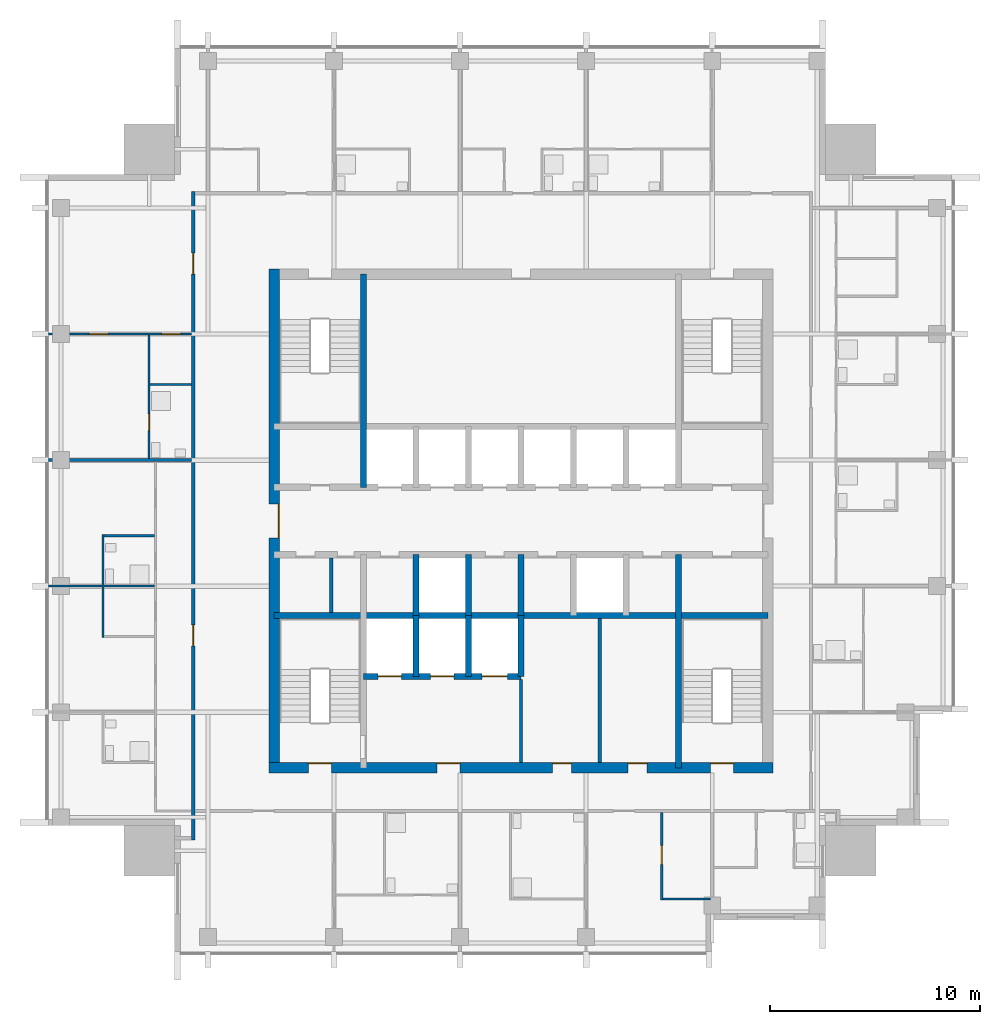
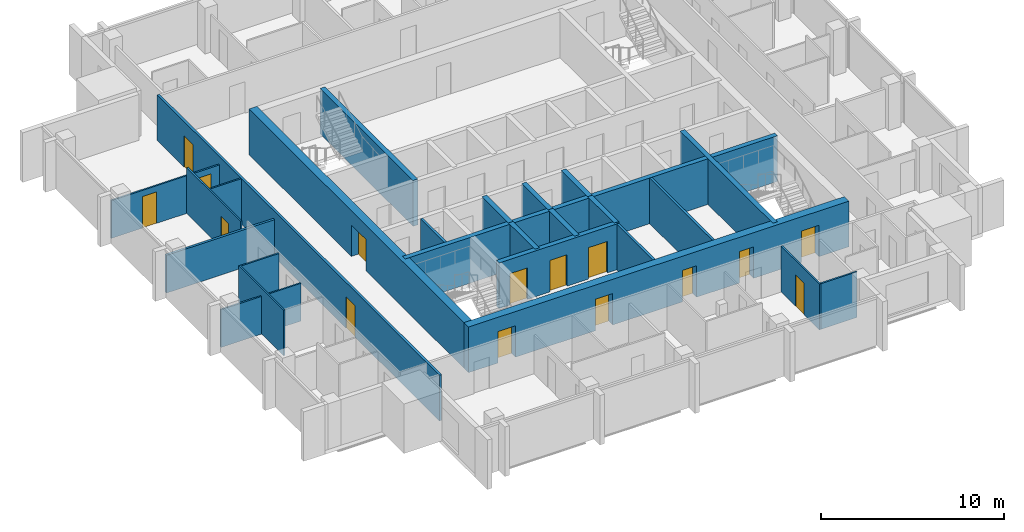
# One storey, part 4 of 9: 25 walls, 15 doors, 15 openings.
"""IFC4 building model written with IfcOpenShell, lengths in metres."""

import ifcopenshell
import ifcopenshell.guid

model = None  # the IFC model being written
_history = None  # IfcOwnerHistory: only IFC2X3 demands one
_inside = {}  # id of a spatial element -> (the spatial element, [elements in it])
_under = {}  # id of a project, library or spatial element -> (it, [spatial elements below it])
_declared = {}  # id of a project -> (the project, [libraries it declares])
_typed = {}  # id of a type object -> (the type object, [elements of that type])
_made_of = {}  # id of a material, layer set ... -> (it, [elements and type objects made of it])


def new_model(schema):
    """Start an empty IFC model of exactly this schema.

    Asked for "IFC4X3", IfcOpenShell would pick the latest addendum, in which some entities
    have other attributes; the version numbers below select the first issue.
    IFC2X3 requires an IfcOwnerHistory on every rooted entity: one is made here for all.
    """
    global model, _history
    if schema == "IFC4X3":
        model = ifcopenshell.file(schema_version=(4, 3, 0, 0))
    else:
        model = ifcopenshell.file(schema=schema)
    _inside.clear()
    _under.clear()
    _declared.clear()
    _typed.clear()
    _made_of.clear()
    _history = None
    if model.schema == "IFC2X3":
        org = make("IfcOrganization", Name="unknown")
        user = make(
            "IfcPersonAndOrganization",
            ThePerson=make("IfcPerson", FamilyName="unknown"),
            TheOrganization=org,
        )
        app = make(
            "IfcApplication",
            ApplicationDeveloper=org,
            Version="unknown",
            ApplicationFullName="unknown",
            ApplicationIdentifier="unknown",
        )
        _history = make(
            "IfcOwnerHistory",
            OwningUser=user,
            OwningApplication=app,
            ChangeAction="ADDED",
            CreationDate=0,
        )
    return model


def make(cls, **values):
    """One entity of the class cls with the attributes given. An attribute that is None is left unset."""
    return model.create_entity(
        cls, **{name: value for name, value in values.items() if value is not None}
    )


def rooted(cls, **values):
    """An entity with a GlobalId (a new one), such as an element, a storey or a relation."""
    return make(cls, GlobalId=ifcopenshell.guid.new(), OwnerHistory=_history, **values)


def si_unit(unit_type, name, prefix=None):
    """IfcSIUnit, for example si_unit("LENGTHUNIT", "METRE", prefix="MILLI")."""
    return make("IfcSIUnit", UnitType=unit_type, Prefix=prefix, Name=name)


def assignment(units):
    """IfcUnitAssignment: the units of a project."""
    return None if units is None else make("IfcUnitAssignment", Units=units)


def point(xyz):
    """IfcCartesianPoint."""
    return None if xyz is None else make("IfcCartesianPoint", Coordinates=xyz)


def direction(xyz):
    """IfcDirection."""
    return None if xyz is None else make("IfcDirection", DirectionRatios=xyz)


def frame(location, z_axis=None, x_axis=None):
    """IfcAxis2Placement3D, a coordinate frame: its origin and axes. An axis left out is left unset."""
    return make(
        "IfcAxis2Placement3D",
        Location=point(location),
        Axis=direction(z_axis),
        RefDirection=direction(x_axis),
    )


def frame_2d(location, x_axis=None):
    """IfcAxis2Placement2D, a coordinate frame in the plane: its origin and x axis."""
    return make(
        "IfcAxis2Placement2D", Location=point(location), RefDirection=direction(x_axis)
    )


def origin():
    """The frame at (0, 0, 0) with its axes left unset."""
    return frame((0.0, 0.0, 0.0))


def place(relative_to, where):
    """IfcLocalPlacement: puts the frame where relative to a parent placement (None: the world)."""
    return make(
        "IfcLocalPlacement", PlacementRelTo=relative_to, RelativePlacement=where
    )


def context(
    kind, dimensions, precision=None, world=None, true_north=None, identifier=None
):
    """IfcGeometricRepresentationContext, for example the 3D "Model" context."""
    return make(
        "IfcGeometricRepresentationContext",
        ContextIdentifier=identifier,
        ContextType=kind,
        CoordinateSpaceDimension=dimensions,
        Precision=precision,
        WorldCoordinateSystem=world,
        TrueNorth=true_north,
    )


def subcontext(parent, identifier, kind, view, scale=None):
    """IfcGeometricRepresentationSubContext, for example "Body" below "Model"."""
    return make(
        "IfcGeometricRepresentationSubContext",
        ContextIdentifier=identifier,
        ContextType=kind,
        ParentContext=parent,
        TargetScale=scale,
        TargetView=view,
    )


def project(units=None, contexts=None):
    """IfcProject with its units and contexts."""
    return rooted(
        "IfcProject",
        Name="project",
        RepresentationContexts=contexts,
        UnitsInContext=assignment(units),
    )


def spatial(cls, under=None, at=None, **own):
    """A site, building, storey or space (cls), placed at a placement, below another one or the project."""
    s = rooted(cls, ObjectPlacement=at, **own)
    if under is not None:
        _under.setdefault(under.id(), (under, []))[1].append(s)
    return s


def profile(cls, at=None, kind="AREA", **sizes):
    """A parametric profile (cls). Its sizes go by their IFC names, for example OverallWidth=200.0."""
    return make(cls, ProfileType=kind, Position=at, **sizes)


def rectangle(**sizes):
    """IfcRectangleProfileDef."""
    return profile("IfcRectangleProfileDef", **sizes)


def extrude(swept, where, along, depth):
    """IfcExtrudedAreaSolid: the profile swept, set in the frame where, extruded along a direction by depth."""
    return make(
        "IfcExtrudedAreaSolid",
        SweptArea=swept,
        Position=where,
        ExtrudedDirection=direction(along),
        Depth=depth,
    )


def shape(context_of_items, identifier, shape_type, items):
    """IfcShapeRepresentation: the items that make up one representation, for example the "Body"."""
    return make(
        "IfcShapeRepresentation",
        ContextOfItems=context_of_items,
        RepresentationIdentifier=identifier,
        RepresentationType=shape_type,
        Items=items,
    )


def material(Name=None, Category=None):
    """IfcMaterial."""
    return make("IfcMaterial", Name=Name, Category=Category)


def layer(
    of_material, thickness, ventilated=None, Name=None, Category=None, Priority=None
):
    """IfcMaterialLayer: one layer of a wall or slab, of a material (None: an air gap)."""
    return make(
        "IfcMaterialLayer",
        Material=of_material,
        LayerThickness=thickness,
        IsVentilated=ventilated,
        Name=Name,
        Category=Category,
        Priority=Priority,
    )


def layer_set(layers, Name=None):
    """IfcMaterialLayerSet."""
    return make("IfcMaterialLayerSet", MaterialLayers=layers, LayerSetName=Name)


def made_of(thing, what):
    """Note that an element or type object is made of a material, layer set ...; save() writes the relation."""
    if what is not None:
        _made_of.setdefault(what.id(), (what, []))[1].append(thing)
    return thing


def type_object(cls, material=None, **own):
    """A type object (cls), such as IfcWallType, which elements share."""
    return made_of(rooted(cls, **own), material)


def element(
    cls,
    number,
    at=None,
    inside=None,
    cuts=None,
    type_object=None,
    material=None,
    context=None,
    identifier="Body",
    shape_type=None,
    held_by="IfcProductDefinitionShape",
    body=None,
    shapes=None,
    **own,
):
    """One element of the class cls, such as IfcWall. Its Tag is "e" and its number.

    at: its placement. inside: the storey or other place that contains it. cuts: it is an
    opening in that element (IfcRelVoidsElement). A single representation is given by context,
    identifier, shape_type and body (its items); several are given by shapes. held_by: the class
    of the entity that holds the representations. save() writes the other relations.
    """
    e = rooted(cls, Tag="e%d" % number, ObjectPlacement=at, **own)
    if body is not None:
        shapes = [shape(context, identifier, shape_type, body)]
    if shapes is not None:
        e.Representation = make(held_by, Representations=shapes)
    if inside is not None:
        _inside.setdefault(inside.id(), (inside, []))[1].append(e)
    if cuts is not None:
        rooted(
            "IfcRelVoidsElement", RelatingBuildingElement=cuts, RelatedOpeningElement=e
        )
    if type_object is not None:
        _typed.setdefault(type_object.id(), (type_object, []))[1].append(e)
    return made_of(e, material)


def fill(opening, filler):
    """IfcRelFillsElement: the door or window that sits in an opening."""
    return rooted(
        "IfcRelFillsElement",
        RelatingOpeningElement=opening,
        RelatedBuildingElement=filler,
    )


def aggregate(whole, parts):
    """IfcRelAggregates: a whole, such as a stair, and the parts it consists of."""
    return rooted("IfcRelAggregates", RelatingObject=whole, RelatedObjects=parts)


def save(model, path):
    """Write the relations noted so far, then the file.

    IfcRelAggregates (storeys below a building ...), IfcRelContainedInSpatialStructure (elements
    in a storey), IfcRelDefinesByType, IfcRelAssociatesMaterial and IfcRelDeclares: one each for
    every whole, place, type object, material and project.
    """
    for whole, parts in _under.values():
        aggregate(whole, parts)
    for where, things in _inside.values():
        rooted(
            "IfcRelContainedInSpatialStructure",
            RelatedElements=things,
            RelatingStructure=where,
        )
    for kind, things in _typed.values():
        rooted("IfcRelDefinesByType", RelatedObjects=things, RelatingType=kind)
    for what, things in _made_of.values():
        rooted("IfcRelAssociatesMaterial", RelatedObjects=things, RelatingMaterial=what)
    for by, libraries in _declared.values():
        rooted("IfcRelDeclares", RelatingContext=by, RelatedDefinitions=libraries)
    model.write(path)


model = new_model("IFC4")

# Units and contexts
model_context = context("Model", 3, precision=1e-05, world=origin(), true_north=direction((0.0, 1.0)))
body_context = subcontext(model_context, "Body", "Model", "MODEL_VIEW")
ifc_project = project(units=[si_unit("LENGTHUNIT", "METRE"), si_unit("AREAUNIT", "SQUARE_METRE"), si_unit("VOLUMEUNIT", "CUBIC_METRE"), si_unit("PLANEANGLEUNIT", "RADIAN"), si_unit("MASSUNIT", "GRAM", prefix="KILO")], contexts=[model_context])

# Site, building, storey
site_placement = place(None, origin())
site = spatial("IfcSite", under=ifc_project, at=site_placement, CompositionType="ELEMENT")
building_placement = place(site_placement, origin())
building = spatial("IfcBuilding", under=site, at=building_placement, Name="Amberfall Residences", CompositionType="ELEMENT")
storey_placement = place(building_placement, frame((0.0, 0.0, 265.300048828125)))
storey = spatial("IfcBuildingStorey", under=building, at=storey_placement, Name="L71", CompositionType="ELEMENT", Elevation=265.300048828125)

# Walls
ifc_material_1 = material(Name="Concrete C50", Category="concrete")
ifc_layer_1 = layer(ifc_material_1, 0.300048828125)
ifc_layer_set_1 = layer_set([ifc_layer_1], Name="Core wall 300 C50")
wall_type_1 = type_object("IfcWallType", Name="Core wall 300 C50", PredefinedType="SHEAR", material=ifc_layer_set_1)
wall_1_placement = place(storey_placement, frame((62.75, 41.0, 0.0), z_axis=(0.0, 0.0, 1.0), x_axis=(1.0, 0.0, 0.0)))
element("IfcWall", 1, at=wall_1_placement, inside=storey, type_object=wall_type_1, Name="Core wall RW10 L71 H75", PredefinedType="SHEAR", context=body_context, shape_type="SweptSolid", body=[
    extrude(rectangle(XDim=23.5, YDim=0.300048828125, at=frame_2d((11.75, 0.0))), origin(), (0.0, 0.0, 1.0), 3.050048828125),
])
for number, where, z_axis, x_axis, name in (
    (2, (67.0, 47.10009765625, 0.0), (0.0, 0.0, 1.0), (0.0, 1.0, 0.0), "Core wall RW10 L71 V45N"),
    (3, (82.0, 33.75, 0.0), (0.0, 0.0, 1.0), (0.0, 1.0, 0.0), "Core wall RW10 L71 V195S"),
):
    element("IfcWall", number, at=place(storey_placement, frame(where, z_axis=z_axis, x_axis=x_axis)), inside=storey, type_object=wall_type_1, Name=name, PredefinedType="SHEAR", context=body_context, shape_type="SweptSolid", body=[
        extrude(rectangle(XDim=10.14990234375, YDim=0.300048828125, at=frame_2d((5.074951171875, 0.0))), origin(), (0.0, 0.0, 1.0), 3.050048828125),
    ])
for number, where, z_axis, x_axis, name in (
    (4, (69.5, 41.0, 0.0), (0.0, 0.0, 1.0), (0.0, 1.0, 0.0), "Core wall RW10 L71 LPD1"),
    (5, (72.0, 41.0, 0.0), (0.0, 0.0, 1.0), (0.0, 1.0, 0.0), "Core wall RW10 L71 LPD2"),
    (6, (74.5, 41.0, 0.0), (0.0, 0.0, 1.0), (0.0, 1.0, 0.0), "Core wall RW10 L71 LPD3"),
):
    element("IfcWall", number, at=place(storey_placement, frame(where, z_axis=z_axis, x_axis=x_axis)), inside=storey, type_object=wall_type_1, Name=name, PredefinedType="SHEAR", context=body_context, shape_type="SweptSolid", body=[
        extrude(rectangle(XDim=2.89990234375, YDim=0.300048828125, at=frame_2d((1.449951171875, 0.0))), origin(), (0.0, 0.0, 1.0), 3.050048828125),
    ])

# Wall, openings, doors
wall_2_placement = place(storey_placement, frame((67.0, 38.10009765625, 0.0), z_axis=(0.0, 0.0, 1.0), x_axis=(1.0, 0.0, 0.0)))
wall_2 = element("IfcWall", 7, at=wall_2_placement, inside=storey, type_object=wall_type_1, Name="Core wall RW10 L71 FFF", PredefinedType="SHEAR", context=body_context, shape_type="SweptSolid", body=[
    extrude(rectangle(XDim=7.5, YDim=0.300048828125, at=frame_2d((3.75, 0.0))), origin(), (0.0, 0.0, 1.0), 3.050048828125),
])
opening_1_placement = place(wall_2_placement, frame((0.699951171875, 0.0, 0.0)))
opening_1 = element("IfcOpeningElement", 8, at=opening_1_placement, cuts=wall_2, Name="Opening LD2", PredefinedType="OPENING", context=body_context, shape_type="SweptSolid", body=[
    extrude(rectangle(XDim=1.10009765625, YDim=2.10009765625, at=frame_2d((0.550048828125, 1.050048828125))), frame((0.0, 0.159912109375, 0.0), z_axis=(0.0, -1.0, 0.0), x_axis=(1.0, 0.0, 0.0)), (0.0, 0.0, 1.0), 0.320068359375),
])
opening_2_placement = place(wall_2_placement, frame((3.199951171875, 0.0, 0.0)))
opening_2 = element("IfcOpeningElement", 9, at=opening_2_placement, cuts=wall_2, Name="Opening LD2", PredefinedType="OPENING", context=body_context, shape_type="SweptSolid", body=[
    extrude(rectangle(XDim=1.10009765625, YDim=2.10009765625, at=frame_2d((0.550048828125, 1.050048828125))), frame((0.0, 0.159912109375, 0.0), z_axis=(0.0, -1.0, 0.0), x_axis=(1.0, 0.0, 0.0)), (0.0, 0.0, 1.0), 0.320068359375),
])
opening_3_placement = place(wall_2_placement, frame((5.64990234375, 0.0, 0.0)))
opening_3 = element("IfcOpeningElement", 10, at=opening_3_placement, cuts=wall_2, Name="Opening LD3", PredefinedType="OPENING", context=body_context, shape_type="SweptSolid", body=[
    extrude(rectangle(XDim=1.199951171875, YDim=2.10009765625, at=frame_2d((0.60009765625, 1.050048828125))), frame((0.0, 0.159912109375, 0.0), z_axis=(0.0, -1.0, 0.0), x_axis=(1.0, 0.0, 0.0)), (0.0, 0.0, 1.0), 0.320068359375),
])
ifc_material_2 = material(Name="Steel fire door set", Category="steel")
door_type_1 = type_object("IfcDoorType", Name="Firefighting lift landing door 1100 x 2100", OperationType="DOUBLE_DOOR_SLIDING", PredefinedType="DOOR", material=ifc_material_2)
door_1_placement = place(opening_1_placement, origin())
door_1 = element("IfcDoor", 11, at=door_1_placement, inside=storey, type_object=door_type_1, Name="Landing door FF1 L71", OperationType="DOUBLE_DOOR_SLIDING", OverallHeight=2.10009765625, OverallWidth=1.10009765625, PredefinedType="DOOR", context=body_context, shape_type="SweptSolid", body=[
    extrude(rectangle(XDim=1.10009765625, YDim=2.10009765625, at=frame_2d((0.550048828125, 1.050048828125))), frame((0.0, 0.02490234375, 0.0), z_axis=(0.0, -1.0, 0.0), x_axis=(1.0, 0.0, 0.0)), (0.0, 0.0, 1.0), 0.050048828125),
])
fill(opening_1, door_1)
door_2_placement = place(opening_2_placement, origin())
door_2 = element("IfcDoor", 12, at=door_2_placement, inside=storey, type_object=door_type_1, Name="Landing door FF2 L71", OperationType="DOUBLE_DOOR_SLIDING", OverallHeight=2.10009765625, OverallWidth=1.10009765625, PredefinedType="DOOR", context=body_context, shape_type="SweptSolid", body=[
    extrude(rectangle(XDim=1.10009765625, YDim=2.10009765625, at=frame_2d((0.550048828125, 1.050048828125))), frame((0.0, 0.02490234375, 0.0), z_axis=(0.0, -1.0, 0.0), x_axis=(1.0, 0.0, 0.0)), (0.0, 0.0, 1.0), 0.050048828125),
])
fill(opening_2, door_2)
door_type_2 = type_object("IfcDoorType", Name="Service lift landing door 1200 x 2100", OperationType="DOUBLE_DOOR_SLIDING", PredefinedType="DOOR", material=ifc_material_2)
door_3_placement = place(opening_3_placement, origin())
door_3 = element("IfcDoor", 13, at=door_3_placement, inside=storey, type_object=door_type_2, Name="Landing door SL1 L71", OperationType="DOUBLE_DOOR_SLIDING", OverallHeight=2.10009765625, OverallWidth=1.199951171875, PredefinedType="DOOR", context=body_context, shape_type="SweptSolid", body=[
    extrude(rectangle(XDim=1.199951171875, YDim=2.10009765625, at=frame_2d((0.60009765625, 1.050048828125))), frame((0.0, 0.02490234375, 0.0), z_axis=(0.0, -1.0, 0.0), x_axis=(1.0, 0.0, 0.0)), (0.0, 0.0, 1.0), 0.050048828125),
])
fill(opening_3, door_3)

# Walls
for number, where, z_axis, x_axis, name in (
    (14, (69.5, 38.10009765625, 0.0), (0.0, 0.0, 1.0), (0.0, 1.0, 0.0), "Core wall RW10 L71 FFD1"),
    (15, (72.0, 38.10009765625, 0.0), (0.0, 0.0, 1.0), (0.0, 1.0, 0.0), "Core wall RW10 L71 FFD2"),
    (16, (74.5, 38.10009765625, 0.0), (0.0, 0.0, 1.0), (0.0, 1.0, 0.0), "Core wall RW10 L71 FFD3"),
):
    element("IfcWall", number, at=place(storey_placement, frame(where, z_axis=z_axis, x_axis=x_axis)), inside=storey, type_object=wall_type_1, Name=name, PredefinedType="SHEAR", context=body_context, shape_type="SweptSolid", body=[
        extrude(rectangle(XDim=2.89990234375, YDim=0.300048828125, at=frame_2d((1.449951171875, 0.0))), origin(), (0.0, 0.0, 1.0), 3.050048828125),
    ])

# Wall, openings, doors
ifc_layer_2 = layer(ifc_material_1, 0.5)
ifc_layer_set_2 = layer_set([ifc_layer_2], Name="Core wall 500 C50")
wall_type_2 = type_object("IfcWallType", Name="Core wall 500 C50", PredefinedType="SHEAR", material=ifc_layer_set_2)
wall_3_placement = place(storey_placement, frame((62.5, 33.75, 0.0), z_axis=(0.0, 0.0, 1.0), x_axis=(1.0, 0.0, 0.0)))
wall_3 = element("IfcWall", 17, at=wall_3_placement, inside=storey, type_object=wall_type_2, Name="Core wall RW9 L71 OS", PredefinedType="SHEAR", context=body_context, shape_type="SweptSolid", body=[
    extrude(rectangle(XDim=24.0, YDim=0.5, at=frame_2d((12.0, 0.0))), origin(), (0.0, 0.0, 1.0), 3.050048828125),
])
opening_4_placement = place(wall_3_placement, frame((1.875, 0.0, 0.0)))
opening_4 = element("IfcOpeningElement", 18, at=opening_4_placement, cuts=wall_3, Name="Opening SD1", PredefinedType="OPENING", context=body_context, shape_type="SweptSolid", body=[
    extrude(rectangle(XDim=1.10009765625, YDim=2.10009765625, at=frame_2d((0.550048828125, 1.050048828125))), frame((0.0, 0.260009765625, 0.0), z_axis=(0.0, -1.0, 0.0), x_axis=(1.0, 0.0, 0.0)), (0.0, 0.0, 1.0), 0.52001953125),
])
opening_5_placement = place(wall_3_placement, frame((21.02490234375, 0.0, 0.0)))
opening_5 = element("IfcOpeningElement", 19, at=opening_5_placement, cuts=wall_3, Name="Opening SD1", PredefinedType="OPENING", context=body_context, shape_type="SweptSolid", body=[
    extrude(rectangle(XDim=1.10009765625, YDim=2.10009765625, at=frame_2d((0.550048828125, 1.050048828125))), frame((0.0, 0.260009765625, 0.0), z_axis=(0.0, -1.0, 0.0), x_axis=(1.0, 0.0, 0.0)), (0.0, 0.0, 1.0), 0.52001953125),
])
opening_6_placement = place(wall_3_placement, frame((8.0, 0.0, 0.0)))
opening_6 = element("IfcOpeningElement", 20, at=opening_6_placement, cuts=wall_3, Name="Opening FL1", PredefinedType="OPENING", context=body_context, shape_type="SweptSolid", body=[
    extrude(rectangle(XDim=1.10009765625, YDim=2.10009765625, at=frame_2d((0.550048828125, 1.050048828125))), frame((0.0, 0.260009765625, 0.0), z_axis=(0.0, -1.0, 0.0), x_axis=(1.0, 0.0, 0.0)), (0.0, 0.0, 1.0), 0.52001953125),
])
opening_7_placement = place(wall_3_placement, frame((13.5, 0.0, 0.0)))
opening_7 = element("IfcOpeningElement", 21, at=opening_7_placement, cuts=wall_3, Name="Opening RD1", PredefinedType="OPENING", context=body_context, shape_type="SweptSolid", body=[
    extrude(rectangle(XDim=0.89990234375, YDim=2.10009765625, at=frame_2d((0.449951171875, 1.050048828125))), frame((0.0, 0.260009765625, 0.0), z_axis=(0.0, -1.0, 0.0), x_axis=(1.0, 0.0, 0.0)), (0.0, 0.0, 1.0), 0.52001953125),
])
opening_8_placement = place(wall_3_placement, frame((17.10009765625, 0.0, 0.0)))
opening_8 = element("IfcOpeningElement", 22, at=opening_8_placement, cuts=wall_3, Name="Opening RD1", PredefinedType="OPENING", context=body_context, shape_type="SweptSolid", body=[
    extrude(rectangle(XDim=0.89990234375, YDim=2.10009765625, at=frame_2d((0.449951171875, 1.050048828125))), frame((0.0, 0.260009765625, 0.0), z_axis=(0.0, -1.0, 0.0), x_axis=(1.0, 0.0, 0.0)), (0.0, 0.0, 1.0), 0.52001953125),
])
door_type_3 = type_object("IfcDoorType", Name="Firefighting lobby door 1100 x 2100", OperationType="SINGLE_SWING_LEFT", PredefinedType="DOOR", material=ifc_material_2)
door_4_placement = place(opening_6_placement, origin())
door_4 = element("IfcDoor", 23, at=door_4_placement, inside=storey, type_object=door_type_3, Name="FL1 L71", OperationType="SINGLE_SWING_LEFT", OverallHeight=2.10009765625, OverallWidth=1.10009765625, PredefinedType="DOOR", context=body_context, shape_type="SweptSolid", body=[
    extrude(rectangle(XDim=1.10009765625, YDim=2.10009765625, at=frame_2d((0.550048828125, 1.050048828125))), frame((0.0, 0.2373046875, 0.0), z_axis=(0.0, -1.0, 0.0), x_axis=(1.0, 0.0, 0.0)), (0.0, 0.0, 1.0), 0.050048828125),
])
fill(opening_6, door_4)
door_type_4 = type_object("IfcDoorType", Name="Service room door 900 x 2100", OperationType="SINGLE_SWING_LEFT", PredefinedType="DOOR", material=ifc_material_2)
door_5_placement = place(opening_7_placement, origin())
door_5 = element("IfcDoor", 24, at=door_5_placement, inside=storey, type_object=door_type_4, Name="RD1 L71", OperationType="SINGLE_SWING_LEFT", OverallHeight=2.10009765625, OverallWidth=0.89990234375, PredefinedType="DOOR", context=body_context, shape_type="SweptSolid", body=[
    extrude(rectangle(XDim=0.89990234375, YDim=2.10009765625, at=frame_2d((0.449951171875, 1.050048828125))), frame((0.0, 0.2373046875, 0.0), z_axis=(0.0, -1.0, 0.0), x_axis=(1.0, 0.0, 0.0)), (0.0, 0.0, 1.0), 0.050048828125),
])
fill(opening_7, door_5)
door_6_placement = place(opening_8_placement, origin())
door_6 = element("IfcDoor", 25, at=door_6_placement, inside=storey, type_object=door_type_4, Name="RD1 L71", OperationType="SINGLE_SWING_LEFT", OverallHeight=2.10009765625, OverallWidth=0.89990234375, PredefinedType="DOOR", context=body_context, shape_type="SweptSolid", body=[
    extrude(rectangle(XDim=0.89990234375, YDim=2.10009765625, at=frame_2d((0.449951171875, 1.050048828125))), frame((0.0, 0.2373046875, 0.0), z_axis=(0.0, -1.0, 0.0), x_axis=(1.0, 0.0, 0.0)), (0.0, 0.0, 1.0), 0.050048828125),
])
fill(opening_8, door_6)
door_type_5 = type_object("IfcDoorType", Name="Stair door 1100 x 2100", OperationType="SINGLE_SWING_LEFT", PredefinedType="DOOR", material=ifc_material_2)
door_7_placement = place(opening_4_placement, origin())
door_7 = element("IfcDoor", 26, at=door_7_placement, inside=storey, type_object=door_type_5, Name="SD1 L71", OperationType="SINGLE_SWING_LEFT", OverallHeight=2.10009765625, OverallWidth=1.10009765625, PredefinedType="DOOR", context=body_context, shape_type="SweptSolid", body=[
    extrude(rectangle(XDim=1.10009765625, YDim=2.10009765625, at=frame_2d((0.550048828125, 1.050048828125))), frame((0.0, 0.2373046875, 0.0), z_axis=(0.0, -1.0, 0.0), x_axis=(1.0, 0.0, 0.0)), (0.0, 0.0, 1.0), 0.050048828125),
])
fill(opening_4, door_7)
door_8_placement = place(opening_5_placement, origin())
door_8 = element("IfcDoor", 27, at=door_8_placement, inside=storey, type_object=door_type_5, Name="SD1 L71", OperationType="SINGLE_SWING_RIGHT", OverallHeight=2.10009765625, OverallWidth=1.10009765625, PredefinedType="DOOR", context=body_context, shape_type="SweptSolid", body=[
    extrude(rectangle(XDim=1.10009765625, YDim=2.10009765625, at=frame_2d((0.550048828125, 1.050048828125))), frame((0.0, 0.2373046875, 0.0), z_axis=(0.0, -1.0, 0.0), x_axis=(1.0, 0.0, 0.0)), (0.0, 0.0, 1.0), 0.050048828125),
])
fill(opening_5, door_8)

# Wall, opening, door
wall_4_placement = place(storey_placement, frame((62.75, 33.5, 0.0), z_axis=(0.0, 0.0, 1.0), x_axis=(0.0, 1.0, 0.0)))
wall_4 = element("IfcWall", 28, at=wall_4_placement, inside=storey, type_object=wall_type_2, Name="Core wall RW9 L71 OW", PredefinedType="SHEAR", context=body_context, shape_type="SweptSolid", body=[
    extrude(rectangle(XDim=24.0, YDim=0.5, at=frame_2d((12.0, 0.0))), origin(), (0.0, 0.0, 1.0), 3.050048828125),
])
opening_9_placement = place(wall_4_placement, frame((11.199951171875, 0.0, 0.0)))
opening_9 = element("IfcOpeningElement", 29, at=opening_9_placement, cuts=wall_4, Name="Opening LB1", PredefinedType="OPENING", context=body_context, shape_type="SweptSolid", body=[
    extrude(rectangle(XDim=1.60009765625, YDim=2.10009765625, at=frame_2d((0.800048828125, 1.050048828125))), frame((0.0, 0.260009765625, 0.0), z_axis=(0.0, -1.0, 0.0), x_axis=(1.0, 0.0, 0.0)), (0.0, 0.0, 1.0), 0.52001953125),
])
door_type_6 = type_object("IfcDoorType", Name="Lift lobby double door 1600 x 2100", OperationType="DOUBLE_DOOR_SINGLE_SWING", PredefinedType="DOOR", material=ifc_material_2)
door_9_placement = place(opening_9_placement, origin())
door_9 = element("IfcDoor", 30, at=door_9_placement, inside=storey, type_object=door_type_6, Name="LB1 L71", OperationType="DOUBLE_DOOR_SINGLE_SWING", OverallHeight=2.10009765625, OverallWidth=1.60009765625, PredefinedType="DOOR", context=body_context, shape_type="SweptSolid", body=[
    extrude(rectangle(XDim=1.60009765625, YDim=2.10009765625, at=frame_2d((0.800048828125, 1.050048828125))), frame((0.0, -0.1875, 0.0), z_axis=(0.0, -1.0, 0.0), x_axis=(1.0, 0.0, 0.0)), (0.0, 0.0, 1.0), 0.050048828125),
])
fill(opening_9, door_9)

# Wall
ifc_material_3 = material(Name="Gypsum board on metal stud")
ifc_layer_3 = layer(ifc_material_3, 0.10009765625)
ifc_layer_set_3 = layer_set([ifc_layer_3], Name="Flat partition 100")
wall_type_3 = type_object("IfcWallType", Name="Flat partition 100", PredefinedType="PARTITIONING", material=ifc_layer_set_3)
wall_5_placement = place(storey_placement, frame((54.60009765625, 39.949951171875, 0.0), z_axis=(0.0, 0.0, 1.0), x_axis=(0.0, 1.0, 0.0)))
element("IfcWall", 31, at=wall_5_placement, inside=storey, type_object=wall_type_3, Name="Partition 002", PredefinedType="PARTITIONING", context=body_context, shape_type="SweptSolid", body=[
    extrude(rectangle(XDim=4.900146484375, YDim=0.10009765625, at=frame_2d((2.4501953125, 0.0))), origin(), (0.0, 0.0, 1.0), 3.050048828125),
])

# Wall, opening, door
wall_6_placement = place(storey_placement, frame((56.800048828125, 54.35009765625, 0.0), z_axis=(0.0, 0.0, 1.0), x_axis=(0.0, -1.0, 0.0)))
wall_6 = element("IfcWall", 32, at=wall_6_placement, inside=storey, type_object=wall_type_3, Name="Partition 003", PredefinedType="PARTITIONING", context=body_context, shape_type="SweptSolid", body=[
    extrude(rectangle(XDim=5.875, YDim=0.10009765625, at=frame_2d((2.9375, 0.0))), origin(), (0.0, 0.0, 1.0), 3.050048828125),
])
opening_10_placement = place(wall_6_placement, frame((3.75, 0.0, 0.0)))
opening_10 = element("IfcOpeningElement", 33, at=opening_10_placement, cuts=wall_6, Name="Opening D42", PredefinedType="OPENING", context=body_context, shape_type="SweptSolid", body=[
    extrude(rectangle(XDim=0.800048828125, YDim=2.10009765625, at=frame_2d((0.39990234375, 1.050048828125))), frame((0.0, 0.06005859375, 0.0), z_axis=(0.0, -1.0, 0.0), x_axis=(1.0, 0.0, 0.0)), (0.0, 0.0, 1.0), 0.1201171875),
])
ifc_material_4 = material(Name="Timber", Category="wood")
door_type_7 = type_object("IfcDoorType", Name="Bathroom door 800 x 2100", OperationType="SINGLE_SWING_LEFT", PredefinedType="DOOR", material=ifc_material_4)
door_10_placement = place(opening_10_placement, origin())
door_10 = element("IfcDoor", 34, at=door_10_placement, inside=storey, type_object=door_type_7, Name="Door 7110 bath1", OperationType="SINGLE_SWING_LEFT", OverallHeight=2.10009765625, OverallWidth=0.800048828125, PredefinedType="DOOR", context=body_context, shape_type="SweptSolid", body=[
    extrude(rectangle(XDim=0.800048828125, YDim=2.10009765625, at=frame_2d((0.39990234375, 1.050048828125))), frame((0.0, 0.02490234375, 0.0), z_axis=(0.0, -1.0, 0.0), x_axis=(1.0, 0.0, 0.0)), (0.0, 0.0, 1.0), 0.050048828125),
])
fill(opening_10, door_10)

wall_7_placement = place(storey_placement, frame((81.199951171875, 31.625, 0.0), z_axis=(0.0, 0.0, 1.0), x_axis=(0.0, -1.0, 0.0)))
wall_7 = element("IfcWall", 35, at=wall_7_placement, inside=storey, type_object=wall_type_3, Name="Partition 014", PredefinedType="PARTITIONING", context=body_context, shape_type="SweptSolid", body=[
    extrude(rectangle(XDim=4.175048828125, YDim=0.10009765625, at=frame_2d((2.08740234375, 0.0))), origin(), (0.0, 0.0, 1.0), 3.050048828125),
])
opening_11_placement = place(wall_7_placement, frame((1.574951171875, 0.0, 0.0)))
opening_11 = element("IfcOpeningElement", 36, at=opening_11_placement, cuts=wall_7, Name="Opening D41", PredefinedType="OPENING", context=body_context, shape_type="SweptSolid", body=[
    extrude(rectangle(XDim=0.89990234375, YDim=2.10009765625, at=frame_2d((0.449951171875, 1.050048828125))), frame((0.0, 0.06005859375, 0.0), z_axis=(0.0, -1.0, 0.0), x_axis=(1.0, 0.0, 0.0)), (0.0, 0.0, 1.0), 0.1201171875),
])
door_type_8 = type_object("IfcDoorType", Name="Internal door 900 x 2100", OperationType="SINGLE_SWING_LEFT", PredefinedType="DOOR", material=ifc_material_4)
door_11_placement = place(opening_11_placement, origin())
door_11 = element("IfcDoor", 37, at=door_11_placement, inside=storey, type_object=door_type_8, Name="Door 7102 kitchen", OperationType="SINGLE_SWING_LEFT", OverallHeight=2.10009765625, OverallWidth=0.89990234375, PredefinedType="DOOR", context=body_context, shape_type="SweptSolid", body=[
    extrude(rectangle(XDim=0.89990234375, YDim=2.10009765625, at=frame_2d((0.449951171875, 1.050048828125))), frame((0.0, 0.02490234375, 0.0), z_axis=(0.0, -1.0, 0.0), x_axis=(1.0, 0.0, 0.0)), (0.0, 0.0, 1.0), 0.050048828125),
])
fill(opening_11, door_11)

# Wall, openings, doors
wall_8_placement = place(storey_placement, frame((58.824951171875, 54.39990234375, 0.0), z_axis=(0.0, 0.0, 1.0), x_axis=(-1.0, 0.0, 0.0)))
wall_8 = element("IfcWall", 38, at=wall_8_placement, inside=storey, type_object=wall_type_3, Name="Partition 030", PredefinedType="PARTITIONING", context=body_context, shape_type="SweptSolid", body=[
    extrude(rectangle(XDim=6.824951171875, YDim=0.10009765625, at=frame_2d((3.41259765625, 0.0))), origin(), (0.0, 0.0, 1.0), 2.515869140625),
])
opening_12_placement = place(wall_8_placement, frame((0.52490234375, 0.0, 0.0)))
opening_12 = element("IfcOpeningElement", 39, at=opening_12_placement, cuts=wall_8, Name="Opening D41", PredefinedType="OPENING", context=body_context, shape_type="SweptSolid", body=[
    extrude(rectangle(XDim=0.89990234375, YDim=2.10009765625, at=frame_2d((0.449951171875, 1.050048828125))), frame((0.0, 0.06005859375, 0.0), z_axis=(0.0, -1.0, 0.0), x_axis=(1.0, 0.0, 0.0)), (0.0, 0.0, 1.0), 0.1201171875),
])
opening_13_placement = place(wall_8_placement, frame((3.97509765625, 0.0, 0.0)))
opening_13 = element("IfcOpeningElement", 40, at=opening_13_placement, cuts=wall_8, Name="Opening D41", PredefinedType="OPENING", context=body_context, shape_type="SweptSolid", body=[
    extrude(rectangle(XDim=0.89990234375, YDim=2.10009765625, at=frame_2d((0.449951171875, 1.050048828125))), frame((0.0, 0.06005859375, 0.0), z_axis=(0.0, -1.0, 0.0), x_axis=(1.0, 0.0, 0.0)), (0.0, 0.0, 1.0), 0.1201171875),
])
door_12_placement = place(opening_12_placement, origin())
door_12 = element("IfcDoor", 41, at=door_12_placement, inside=storey, type_object=door_type_8, Name="Door 7110 kitchen", OperationType="SINGLE_SWING_LEFT", OverallHeight=2.10009765625, OverallWidth=0.89990234375, PredefinedType="DOOR", context=body_context, shape_type="SweptSolid", body=[
    extrude(rectangle(XDim=0.89990234375, YDim=2.10009765625, at=frame_2d((0.449951171875, 1.050048828125))), frame((0.0, 0.02490234375, 0.0), z_axis=(0.0, -1.0, 0.0), x_axis=(1.0, 0.0, 0.0)), (0.0, 0.0, 1.0), 0.050048828125),
])
fill(opening_12, door_12)
door_13_placement = place(opening_13_placement, origin())
door_13 = element("IfcDoor", 42, at=door_13_placement, inside=storey, type_object=door_type_8, Name="Door 7110 bedroom1", OperationType="SINGLE_SWING_LEFT", OverallHeight=2.10009765625, OverallWidth=0.89990234375, PredefinedType="DOOR", context=body_context, shape_type="SweptSolid", body=[
    extrude(rectangle(XDim=0.89990234375, YDim=2.10009765625, at=frame_2d((0.449951171875, 1.050048828125))), frame((0.0, 0.02490234375, 0.0), z_axis=(0.0, -1.0, 0.0), x_axis=(1.0, 0.0, 0.0)), (0.0, 0.0, 1.0), 0.050048828125),
])
fill(opening_13, door_13)

# Walls
wall_9_placement = place(storey_placement, frame((56.85009765625, 52.0, 0.0), z_axis=(0.0, 0.0, 1.0), x_axis=(1.0, 0.0, 0.0)))
element("IfcWall", 43, at=wall_9_placement, inside=storey, type_object=wall_type_3, Name="Partition 032", PredefinedType="PARTITIONING", context=body_context, shape_type="SweptSolid", body=[
    extrude(rectangle(XDim=1.974853515625, YDim=0.10009765625, at=frame_2d((0.9873046875, 0.0))), origin(), (0.0, 0.0, 1.0), 3.050048828125),
])
wall_10_placement = place(storey_placement, frame((54.64990234375, 44.800048828125, 0.0), z_axis=(0.0, 0.0, 1.0), x_axis=(1.0, 0.0, 0.0)))
element("IfcWall", 44, at=wall_10_placement, inside=storey, type_object=wall_type_3, Name="Partition 036", PredefinedType="PARTITIONING", context=body_context, shape_type="SweptSolid", body=[
    extrude(rectangle(XDim=2.400146484375, YDim=0.10009765625, at=frame_2d((1.2001953125, 0.0))), origin(), (0.0, 0.0, 1.0), 3.050048828125),
])
wall_11_placement = place(storey_placement, frame((52.0, 42.39990234375, 0.0), z_axis=(0.0, 0.0, 1.0), x_axis=(1.0, 0.0, 0.0)))
element("IfcWall", 45, at=wall_11_placement, inside=storey, type_object=wall_type_3, Name="Partition 037", PredefinedType="PARTITIONING", context=body_context, shape_type="SweptSolid", body=[
    extrude(rectangle(XDim=5.050048828125, YDim=0.10009765625, at=frame_2d((2.52490234375, 0.0))), origin(), (0.0, 0.0, 1.0), 2.515869140625),
])
wall_12_placement = place(storey_placement, frame((81.25, 27.5, 0.0), z_axis=(0.0, 0.0, 1.0), x_axis=(1.0, 0.0, 0.0)))
element("IfcWall", 46, at=wall_12_placement, inside=storey, type_object=wall_type_3, Name="Partition 048", PredefinedType="PARTITIONING", context=body_context, shape_type="SweptSolid", body=[
    extrude(rectangle(XDim=2.27490234375, YDim=0.10009765625, at=frame_2d((1.137451171875, 0.0))), origin(), (0.0, 0.0, 1.0), 3.050048828125),
])

# Wall, openings, doors
ifc_material_5 = material(Name="Blockwork, plastered", Category="masonry")
ifc_layer_4 = layer(ifc_material_5, 0.14990234375)
ifc_layer_set_4 = layer_set([ifc_layer_4], Name="Flat separating wall 150")
wall_type_4 = type_object("IfcWallType", Name="Flat separating wall 150", PredefinedType="PARTITIONING", material=ifc_layer_set_4)
wall_13_placement = place(storey_placement, frame((58.89990234375, 30.324951171875, 0.0), z_axis=(0.0, 0.0, 1.0), x_axis=(0.0, 1.0, 0.0)))
wall_13 = element("IfcWall", 47, at=wall_13_placement, inside=storey, type_object=wall_type_4, Name="Separating wall 049", PredefinedType="PARTITIONING", context=body_context, shape_type="SweptSolid", body=[
    extrude(rectangle(XDim=30.85009765625, YDim=0.14990234375, at=frame_2d((15.425048828125, 0.0))), origin(), (0.0, 0.0, 1.0), 3.050048828125),
])
opening_14_placement = place(wall_13_placement, frame((9.22509765625, 0.0, 0.0)))
opening_14 = element("IfcOpeningElement", 48, at=opening_14_placement, cuts=wall_13, Name="Opening D40", PredefinedType="OPENING", context=body_context, shape_type="SweptSolid", body=[
    extrude(rectangle(XDim=1.0, YDim=2.10009765625, at=frame_2d((0.5, 1.050048828125))), frame((0.0, 0.0849609375, 0.0), z_axis=(0.0, -1.0, 0.0), x_axis=(1.0, 0.0, 0.0)), (0.0, 0.0, 1.0), 0.169921875),
])
opening_15_placement = place(wall_13_placement, frame((26.925048828125, 0.0, 0.0)))
opening_15 = element("IfcOpeningElement", 49, at=opening_15_placement, cuts=wall_13, Name="Opening D40", PredefinedType="OPENING", context=body_context, shape_type="SweptSolid", body=[
    extrude(rectangle(XDim=1.0, YDim=2.10009765625, at=frame_2d((0.5, 1.050048828125))), frame((0.0, 0.0849609375, 0.0), z_axis=(0.0, -1.0, 0.0), x_axis=(1.0, 0.0, 0.0)), (0.0, 0.0, 1.0), 0.169921875),
])
ifc_material_6 = material(Name="Timber, fire-rated", Category="wood")
door_type_9 = type_object("IfcDoorType", Name="Flat entrance door FD60 1000 x 2100", OperationType="SINGLE_SWING_LEFT", PredefinedType="DOOR", material=ifc_material_6)
door_14_placement = place(opening_14_placement, origin())
door_14 = element("IfcDoor", 50, at=door_14_placement, inside=storey, type_object=door_type_9, Name="Door 7109 entrance", OperationType="SINGLE_SWING_LEFT", OverallHeight=2.10009765625, OverallWidth=1.0, PredefinedType="DOOR", context=body_context, shape_type="SweptSolid", body=[
    extrude(rectangle(XDim=1.0, YDim=2.10009765625, at=frame_2d((0.5, 1.050048828125))), frame((0.0, 0.02490234375, 0.0), z_axis=(0.0, -1.0, 0.0), x_axis=(1.0, 0.0, 0.0)), (0.0, 0.0, 1.0), 0.050048828125),
])
fill(opening_14, door_14)
door_15_placement = place(opening_15_placement, origin())
door_15 = element("IfcDoor", 51, at=door_15_placement, inside=storey, type_object=door_type_9, Name="Door 7110 entrance", OperationType="SINGLE_SWING_LEFT", OverallHeight=2.10009765625, OverallWidth=1.0, PredefinedType="DOOR", context=body_context, shape_type="SweptSolid", body=[
    extrude(rectangle(XDim=1.0, YDim=2.10009765625, at=frame_2d((0.5, 1.050048828125))), frame((0.0, 0.02490234375, 0.0), z_axis=(0.0, -1.0, 0.0), x_axis=(1.0, 0.0, 0.0)), (0.0, 0.0, 1.0), 0.050048828125),
])
fill(opening_15, door_15)

# Walls
wall_14_placement = place(storey_placement, frame((52.0, 48.39990234375, 0.0), z_axis=(0.0, 0.0, 1.0), x_axis=(1.0, 0.0, 0.0)))
element("IfcWall", 52, at=wall_14_placement, inside=storey, type_object=wall_type_4, Name="Separating wall 059", PredefinedType="PARTITIONING", context=body_context, shape_type="SweptSolid", body=[
    extrude(rectangle(XDim=6.824951171875, YDim=0.14990234375, at=frame_2d((3.41259765625, 0.0))), origin(), (0.0, 0.0, 1.0), 2.515869140625),
])
ifc_material_7 = material(Name="Concrete blockwork", Category="masonry")
ifc_layer_5 = layer(ifc_material_7, 0.14990234375)
ifc_layer_set_5 = layer_set([ifc_layer_5], Name="Riser wall 150")
wall_type_5 = type_object("IfcWallType", Name="Riser wall 150", PredefinedType="PLUMBINGWALL", material=ifc_layer_set_5)
wall_15_placement = place(storey_placement, frame((74.5, 34.0, 0.0), z_axis=(0.0, 0.0, 1.0), x_axis=(0.0, 1.0, 0.0)))
element("IfcWall", 53, at=wall_15_placement, inside=storey, type_object=wall_type_5, Name="L71 core wall PX", PredefinedType="PLUMBINGWALL", context=body_context, shape_type="SweptSolid", body=[
    extrude(rectangle(XDim=3.949951171875, YDim=0.14990234375, at=frame_2d((1.97509765625, 0.0))), origin(), (0.0, 0.0, 1.0), 3.050048828125),
])
wall_16_placement = place(storey_placement, frame((78.25, 34.0, 0.0), z_axis=(0.0, 0.0, 1.0), x_axis=(0.0, 1.0, 0.0)))
element("IfcWall", 54, at=wall_16_placement, inside=storey, type_object=wall_type_5, Name="L71 core wall E0", PredefinedType="PLUMBINGWALL", context=body_context, shape_type="SweptSolid", body=[
    extrude(rectangle(XDim=6.85009765625, YDim=0.14990234375, at=frame_2d((3.425048828125, 0.0))), origin(), (0.0, 0.0, 1.0), 3.050048828125),
])
wall_17_placement = place(storey_placement, frame((65.464111328125, 41.14990234375, 0.0), z_axis=(0.0, 0.0, 1.0), x_axis=(0.0, 1.0, 0.0)))
element("IfcWall", 55, at=wall_17_placement, inside=storey, type_object=wall_type_5, Name="L71 core wall ASW0", PredefinedType="PLUMBINGWALL", context=body_context, shape_type="SweptSolid", body=[
    extrude(rectangle(XDim=2.60009765625, YDim=0.14990234375, at=frame_2d((1.300048828125, 0.0))), origin(), (0.0, 0.0, 1.0), 3.050048828125),
])

save(model, "model.ifc")
